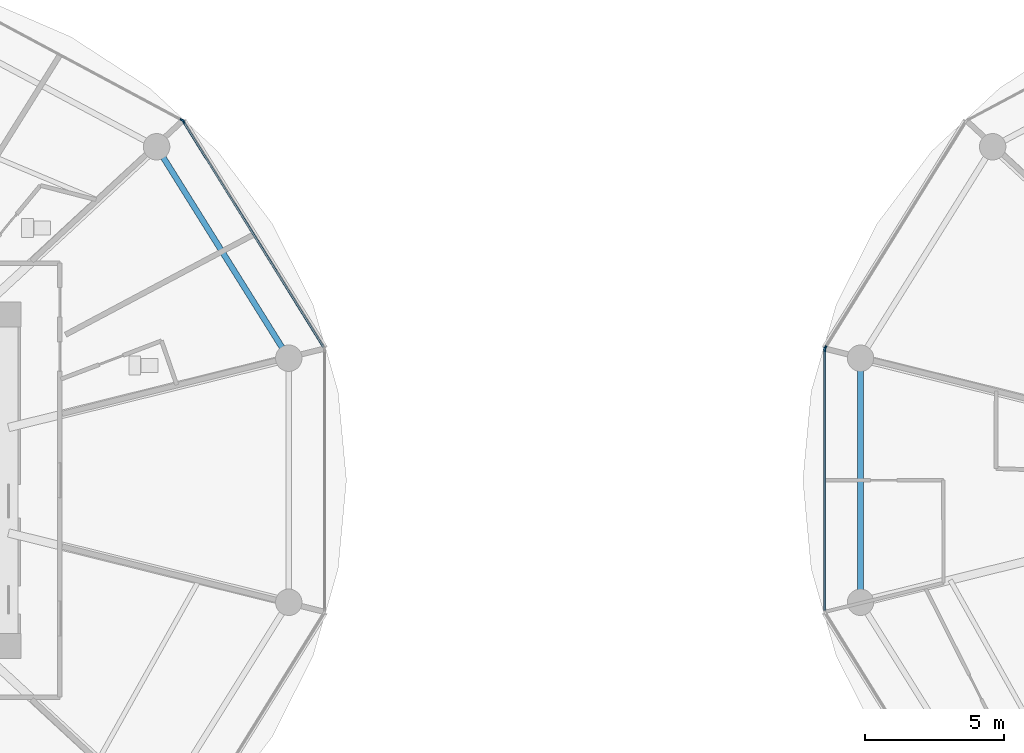
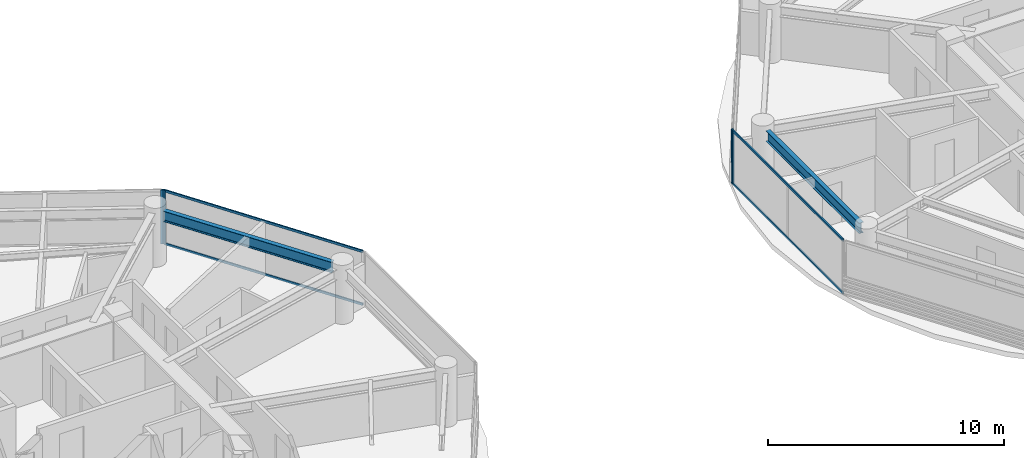
# One storey, part 7 of 27: 8 members, 2 beams, 4 elements without a shape of their own.
"""IFC4 building model written with IfcOpenShell, lengths in metres."""

from ifc_helpers import new_model, si_unit, direction, frame, origin, origin_2d, place, context, subcontext, project, spatial, rectangle, i_section, extrude, source, transform, mapped, material, layer, layer_set, material_profile, profile_set, type_object, type_shapes, element, aggregate, save


model = new_model("IFC4")

# Units and contexts
model_context = context("Model", 3, precision=1e-05, world=origin(), true_north=direction((0.0, 1.0)))
body_context = subcontext(model_context, "Body", "Model", "MODEL_VIEW")
ifc_project = project(units=[si_unit("LENGTHUNIT", "METRE"), si_unit("AREAUNIT", "SQUARE_METRE"), si_unit("VOLUMEUNIT", "CUBIC_METRE"), si_unit("PLANEANGLEUNIT", "RADIAN"), si_unit("MASSUNIT", "GRAM", prefix="KILO")], contexts=[model_context])

# Site, building, storey
site_placement = place(None, origin())
site = spatial("IfcSite", under=ifc_project, at=site_placement, CompositionType="ELEMENT")
building_placement = place(site_placement, origin())
building = spatial("IfcBuilding", under=site, at=building_placement, Name="Norrkilde Senior Care Towers", CompositionType="ELEMENT")
storey_placement = place(building_placement, frame((0.0, 0.0, 36.85009765625)))
storey = spatial("IfcBuildingStorey", under=building, at=storey_placement, Name="L10", CompositionType="ELEMENT", Elevation=36.85009765625)

# Beams
ifc_material_1 = material(Name="Steel S355", Category="steel")
ifc_material_profile_1 = material_profile(ifc_material_1, i_section(OverallWidth=0.2099609375, OverallDepth=0.550048828125, WebThickness=0.010986328125, FlangeThickness=0.01708984375, FilletRadius=0.02392578125, at=origin_2d()), Name="IPE 550")
ifc_profile_set_1 = profile_set([ifc_material_profile_1], Name="Steel S355")
beam_type = type_object("IfcBeamType", Name="Perimeter Ring Spandrel Z1 IPE550", PredefinedType="SPANDREL", material=ifc_profile_set_1)
shared_shape_1 = source(origin(), body_context, "Body", "SweptSolid", [
    extrude(i_section(OverallWidth=0.2099609375, OverallDepth=0.550048828125, WebThickness=0.010986328125, FlangeThickness=0.01708984375, FilletRadius=0.02392578125, at=origin_2d()), origin(), (0.0, 0.0, 1.0), 8.090576171875),
])
beam_1_placement = place(storey_placement, frame((-10.505859375, 4.755859375, 2.514892578125), z_axis=(-0.530004364821, 0.84799491347, 0.0), x_axis=(-0.84799491347, -0.530004364821, 0.0)))
element("IfcBeam", 1, at=beam_1_placement, inside=storey, type_object=beam_type, Name="L10 Drum W Perimeter Spandrel 01", PredefinedType="SPANDREL", context=body_context, shape_type="MappedRepresentation", body=[
    mapped(shared_shape_1, transform((0.0, 0.0, 0.0), x_axis=(1.0, 0.0, 0.0), y_axis=(0.0, 1.0, 0.0), z_axis=(0.0, 0.0, 1.0), scale=1.0)),
])
shared_shape_2 = source(origin(), body_context, "Body", "SweptSolid", [
    extrude(i_section(OverallWidth=0.2099609375, OverallDepth=0.550048828125, WebThickness=0.010986328125, FlangeThickness=0.01708984375, FilletRadius=0.02392578125, at=origin_2d()), origin(), (0.0, 0.0, 1.0), 7.90380859375),
])
type_shapes(beam_type, [shared_shape_1, shared_shape_2])
beam_2_placement = place(storey_placement, frame((10.275146484375, 3.951904296875, 2.514892578125), z_axis=(0.0, -1.0, 0.0), x_axis=(1.0, 0.0, 0.0)))
element("IfcBeam", 2, at=beam_2_placement, inside=storey, type_object=beam_type, Name="L10 Drum E Perimeter Spandrel 06", PredefinedType="SPANDREL", context=body_context, shape_type="MappedRepresentation", body=[
    mapped(shared_shape_2, transform((0.0, 0.0, 0.0), x_axis=(1.0, 0.0, 0.0), y_axis=(0.0, 1.0, 0.0), z_axis=(0.0, 0.0, 1.0), scale=1.0)),
])

# Curtain wall, member
ifc_material_2 = material(Name="Triple Low-E Insulated Glazing", Category="glass")
ifc_layer = layer(ifc_material_2, 0.199951171875)
ifc_layer_set = layer_set([ifc_layer], Name="Triple Low-E Insulated Glazing")
curtain_wall_type = type_object("IfcCurtainWallType", Name="CW2 Zone 1 Memory Care Curtain Wall", PredefinedType="NOTDEFINED", material=ifc_layer_set)
curtain_wall_1_placement = place(storey_placement, origin())
curtain_wall_1 = element("IfcCurtainWall", 3, at=curtain_wall_1_placement, inside=storey, type_object=curtain_wall_type, Name="L10 Drum W Curtain Wall 00", PredefinedType="NOTDEFINED")
ifc_material_3 = material(Name="Anodised Aluminium", Category="aluminium")
ifc_material_profile_2 = material_profile(ifc_material_3, rectangle(XDim=0.06494140625, YDim=0.159912109375, at=origin_2d()), Name="ALU MULL 65x160")
ifc_profile_set_2 = profile_set([ifc_material_profile_2], Name="Anodised Aluminium")
member_type_1 = type_object("IfcMemberType", Name="Curtain Wall Mullion Z1-Z2 65x160", PredefinedType="MULLION", material=ifc_profile_set_2)
shared_shape_3 = source(origin(), body_context, "Body", "SweptSolid", [
    extrude(rectangle(XDim=0.06494140625, YDim=0.159912109375, at=origin_2d()), origin(), (0.0, 0.0, 1.0), 2.789794921875),
])
type_shapes(member_type_1, [shared_shape_3])
member_1_placement = place(storey_placement, frame((-14.06689453125, 12.898193359375, 0.0), z_axis=(0.0, 0.0, 1.0), x_axis=(0.849305943117, 0.527900951871, 0.0)))
member_1 = element("IfcMember", 4, at=member_1_placement, type_object=member_type_1, Name="CW-2 mullion 1", PredefinedType="MULLION", context=body_context, shape_type="MappedRepresentation", body=[
    mapped(shared_shape_3, transform((0.0, 0.0, 0.0), x_axis=(1.0, 0.0, 0.0), y_axis=(0.0, 1.0, 0.0), z_axis=(0.0, 0.0, 1.0), scale=1.0)),
])

curtain_wall_2_placement = place(storey_placement, origin())
curtain_wall_2 = element("IfcCurtainWall", 5, at=curtain_wall_2_placement, inside=storey, type_object=curtain_wall_type, Name="L10 Drum W Curtain Wall 01", PredefinedType="NOTDEFINED")
member_2_placement = place(storey_placement, frame((-14.11279296875, 12.941162109375, 0.0), z_axis=(0.0, 0.0, 1.0), x_axis=(0.472607802456, 0.881272866403, 0.0)))
member_2 = element("IfcMember", 6, at=member_2_placement, type_object=member_type_1, Name="CW-2 mullion 2", PredefinedType="MULLION", context=body_context, shape_type="MappedRepresentation", body=[
    mapped(shared_shape_3, transform((0.0, 0.0, 0.0), x_axis=(1.0, 0.0, 0.0), y_axis=(0.0, 1.0, 0.0), z_axis=(0.0, 0.0, 1.0), scale=1.0)),
])
aggregate(curtain_wall_2, [member_2])

curtain_wall_3_placement = place(storey_placement, origin())
curtain_wall_3 = element("IfcCurtainWall", 7, at=curtain_wall_3_placement, inside=storey, type_object=curtain_wall_type, Name="L10 Drum E Curtain Wall 04", PredefinedType="NOTDEFINED")
member_3_placement = place(storey_placement, frame((9.0078125, 4.7587890625, 0.0), z_axis=(0.0, 0.0, 1.0), x_axis=(-0.849305943117, 0.527900951871, 0.0)))
member_3 = element("IfcMember", 8, at=member_3_placement, type_object=member_type_1, Name="CW-2 mullion 1", PredefinedType="MULLION", context=body_context, shape_type="MappedRepresentation", body=[
    mapped(shared_shape_3, transform((0.0, 0.0, 0.0), x_axis=(1.0, 0.0, 0.0), y_axis=(0.0, 1.0, 0.0), z_axis=(0.0, 0.0, 1.0), scale=1.0)),
])
aggregate(curtain_wall_3, [member_3])

curtain_wall_4_placement = place(storey_placement, origin())
curtain_wall_4 = element("IfcCurtainWall", 9, at=curtain_wall_4_placement, inside=storey, type_object=curtain_wall_type, Name="L10 Drum E Curtain Wall 05", PredefinedType="NOTDEFINED")
member_4_placement = place(storey_placement, frame((8.990478515625, 4.69873046875, 0.0), z_axis=(0.0, 0.0, 1.0), x_axis=(-1.0, 0.0, 0.0)))
member_4 = element("IfcMember", 10, at=member_4_placement, type_object=member_type_1, Name="CW-2 mullion 2", PredefinedType="MULLION", context=body_context, shape_type="MappedRepresentation", body=[
    mapped(shared_shape_3, transform((0.0, 0.0, 0.0), x_axis=(1.0, 0.0, 0.0), y_axis=(0.0, 1.0, 0.0), z_axis=(0.0, 0.0, 1.0), scale=1.0)),
])

# Member
ifc_material_profile_3 = material_profile(ifc_material_3, rectangle(XDim=0.06005859375, YDim=0.1201171875, at=origin_2d()), Name="ALU TRAN 60x120")
ifc_profile_set_3 = profile_set([ifc_material_profile_3], Name="Anodised Aluminium")
member_type_2 = type_object("IfcMemberType", Name="Curtain Wall Transom Typical 60x120", PredefinedType="USERDEFINED", material=ifc_profile_set_3)
shared_shape_4 = source(origin(), body_context, "Body", "SweptSolid", [
    extrude(rectangle(XDim=0.06005859375, YDim=0.1201171875, at=origin_2d()), origin(), (0.0, 0.0, 1.0), 9.5185546875),
])
member_5_placement = place(storey_placement, frame((-14.0498046875, 12.87060546875, 0.02978515625), z_axis=(0.527901620669, -0.849305527413, 0.0), x_axis=(0.849305527413, 0.527901620669, 0.0)))
member_5 = element("IfcMember", 11, at=member_5_placement, type_object=member_type_2, Name="CW-2 transom 1.1", ObjectType="TRANSOM", PredefinedType="USERDEFINED", context=body_context, shape_type="MappedRepresentation", body=[
    mapped(shared_shape_4, transform((0.0, 0.0, 0.0), x_axis=(1.0, 0.0, 0.0), y_axis=(0.0, 1.0, 0.0), z_axis=(0.0, 0.0, 1.0), scale=1.0)),
])

member_6_placement = place(storey_placement, frame((-14.0498046875, 12.87060546875, 2.760009765625), z_axis=(0.527901620669, -0.849305527413, 0.0), x_axis=(0.849305527413, 0.527901620669, 0.0)))
member_6 = element("IfcMember", 12, at=member_6_placement, type_object=member_type_2, Name="CW-2 transom 1.2", ObjectType="TRANSOM", PredefinedType="USERDEFINED", context=body_context, shape_type="MappedRepresentation", body=[
    mapped(shared_shape_4, transform((0.0, 0.0, 0.0), x_axis=(1.0, 0.0, 0.0), y_axis=(0.0, 1.0, 0.0), z_axis=(0.0, 0.0, 1.0), scale=1.0)),
])

aggregate(curtain_wall_1, [member_1, member_5, member_6])

shared_shape_5 = source(origin(), body_context, "Body", "SweptSolid", [
    extrude(rectangle(XDim=0.06005859375, YDim=0.1201171875, at=origin_2d()), origin(), (0.0, 0.0, 1.0), 9.33251953125),
])
type_shapes(member_type_2, [shared_shape_4, shared_shape_5])
member_7_placement = place(storey_placement, frame((8.990478515625, -4.666259765625, 0.02978515625), z_axis=(0.0, 1.0, 0.0), x_axis=(-1.0, 0.0, 0.0)))
member_7 = element("IfcMember", 13, at=member_7_placement, type_object=member_type_2, Name="CW-2 transom 1.1", ObjectType="TRANSOM", PredefinedType="USERDEFINED", context=body_context, shape_type="MappedRepresentation", body=[
    mapped(shared_shape_5, transform((0.0, 0.0, 0.0), x_axis=(1.0, 0.0, 0.0), y_axis=(0.0, 1.0, 0.0), z_axis=(0.0, 0.0, 1.0), scale=1.0)),
])

member_8_placement = place(storey_placement, frame((8.990478515625, -4.666259765625, 2.760009765625), z_axis=(0.0, 1.0, 0.0), x_axis=(-1.0, 0.0, 0.0)))
member_8 = element("IfcMember", 14, at=member_8_placement, type_object=member_type_2, Name="CW-2 transom 1.2", ObjectType="TRANSOM", PredefinedType="USERDEFINED", context=body_context, shape_type="MappedRepresentation", body=[
    mapped(shared_shape_5, transform((0.0, 0.0, 0.0), x_axis=(1.0, 0.0, 0.0), y_axis=(0.0, 1.0, 0.0), z_axis=(0.0, 0.0, 1.0), scale=1.0)),
])

aggregate(curtain_wall_4, [member_4, member_7, member_8])

save(model, "model.ifc")
